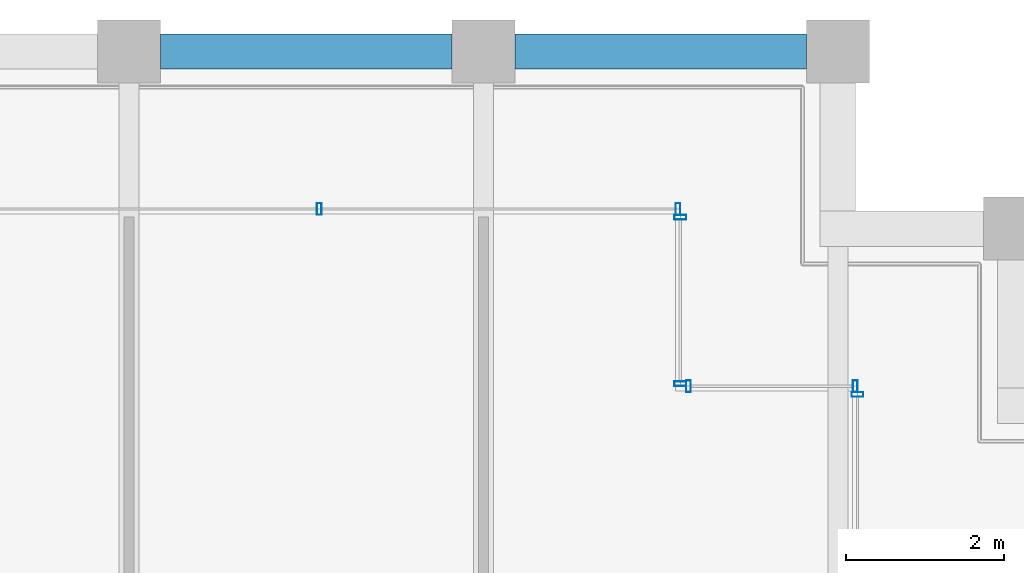
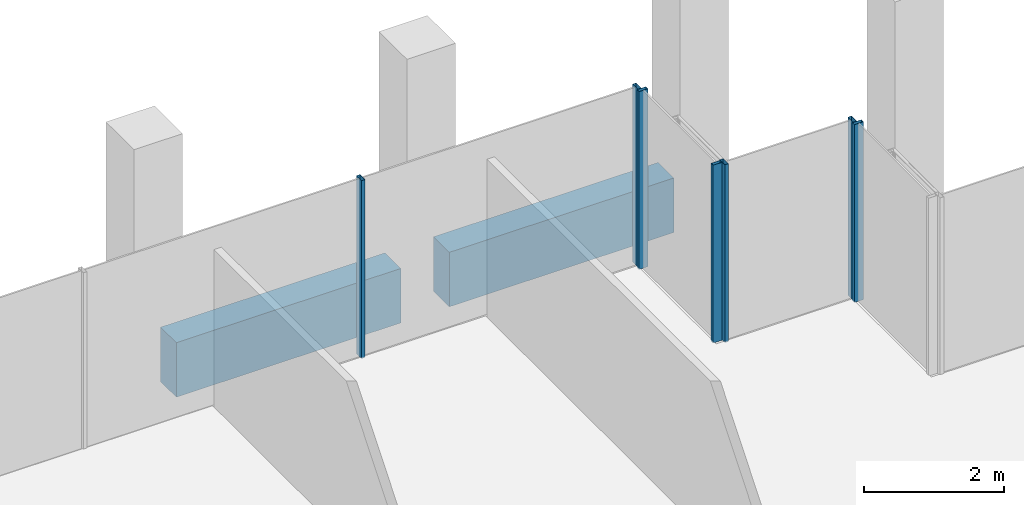
# One storey, part 26 of 30: 7 members, 2 beams, 4 elements without a shape of their own.
"""IFC4 building model written with IfcOpenShell, lengths in metres."""

import ifcopenshell
import ifcopenshell.guid

model = None  # the IFC model being written
_history = None  # IfcOwnerHistory: only IFC2X3 demands one
_inside = {}  # id of a spatial element -> (the spatial element, [elements in it])
_under = {}  # id of a project, library or spatial element -> (it, [spatial elements below it])
_declared = {}  # id of a project -> (the project, [libraries it declares])
_typed = {}  # id of a type object -> (the type object, [elements of that type])
_made_of = {}  # id of a material, layer set ... -> (it, [elements and type objects made of it])


def new_model(schema):
    """Start an empty IFC model of exactly this schema.

    Asked for "IFC4X3", IfcOpenShell would pick the latest addendum, in which some entities
    have other attributes; the version numbers below select the first issue.
    IFC2X3 requires an IfcOwnerHistory on every rooted entity: one is made here for all.
    """
    global model, _history
    if schema == "IFC4X3":
        model = ifcopenshell.file(schema_version=(4, 3, 0, 0))
    else:
        model = ifcopenshell.file(schema=schema)
    _inside.clear()
    _under.clear()
    _declared.clear()
    _typed.clear()
    _made_of.clear()
    _history = None
    if model.schema == "IFC2X3":
        org = make("IfcOrganization", Name="unknown")
        user = make(
            "IfcPersonAndOrganization",
            ThePerson=make("IfcPerson", FamilyName="unknown"),
            TheOrganization=org,
        )
        app = make(
            "IfcApplication",
            ApplicationDeveloper=org,
            Version="unknown",
            ApplicationFullName="unknown",
            ApplicationIdentifier="unknown",
        )
        _history = make(
            "IfcOwnerHistory",
            OwningUser=user,
            OwningApplication=app,
            ChangeAction="ADDED",
            CreationDate=0,
        )
    return model


def make(cls, **values):
    """One entity of the class cls with the attributes given. An attribute that is None is left unset."""
    return model.create_entity(
        cls, **{name: value for name, value in values.items() if value is not None}
    )


def rooted(cls, **values):
    """An entity with a GlobalId (a new one), such as an element, a storey or a relation."""
    return make(cls, GlobalId=ifcopenshell.guid.new(), OwnerHistory=_history, **values)


def si_unit(unit_type, name, prefix=None):
    """IfcSIUnit, for example si_unit("LENGTHUNIT", "METRE", prefix="MILLI")."""
    return make("IfcSIUnit", UnitType=unit_type, Prefix=prefix, Name=name)


def assignment(units):
    """IfcUnitAssignment: the units of a project."""
    return None if units is None else make("IfcUnitAssignment", Units=units)


def point(xyz):
    """IfcCartesianPoint."""
    return None if xyz is None else make("IfcCartesianPoint", Coordinates=xyz)


def direction(xyz):
    """IfcDirection."""
    return None if xyz is None else make("IfcDirection", DirectionRatios=xyz)


def frame(location, z_axis=None, x_axis=None):
    """IfcAxis2Placement3D, a coordinate frame: its origin and axes. An axis left out is left unset."""
    return make(
        "IfcAxis2Placement3D",
        Location=point(location),
        Axis=direction(z_axis),
        RefDirection=direction(x_axis),
    )


def frame_2d(location, x_axis=None):
    """IfcAxis2Placement2D, a coordinate frame in the plane: its origin and x axis."""
    return make(
        "IfcAxis2Placement2D", Location=point(location), RefDirection=direction(x_axis)
    )


def origin():
    """The frame at (0, 0, 0) with its axes left unset."""
    return frame((0.0, 0.0, 0.0))


def origin_2d():
    """The frame at (0, 0) in the plane with its x axis left unset."""
    return frame_2d((0.0, 0.0))


def place(relative_to, where):
    """IfcLocalPlacement: puts the frame where relative to a parent placement (None: the world)."""
    return make(
        "IfcLocalPlacement", PlacementRelTo=relative_to, RelativePlacement=where
    )


def context(
    kind, dimensions, precision=None, world=None, true_north=None, identifier=None
):
    """IfcGeometricRepresentationContext, for example the 3D "Model" context."""
    return make(
        "IfcGeometricRepresentationContext",
        ContextIdentifier=identifier,
        ContextType=kind,
        CoordinateSpaceDimension=dimensions,
        Precision=precision,
        WorldCoordinateSystem=world,
        TrueNorth=true_north,
    )


def subcontext(parent, identifier, kind, view, scale=None):
    """IfcGeometricRepresentationSubContext, for example "Body" below "Model"."""
    return make(
        "IfcGeometricRepresentationSubContext",
        ContextIdentifier=identifier,
        ContextType=kind,
        ParentContext=parent,
        TargetScale=scale,
        TargetView=view,
    )


def project(units=None, contexts=None):
    """IfcProject with its units and contexts."""
    return rooted(
        "IfcProject",
        Name="project",
        RepresentationContexts=contexts,
        UnitsInContext=assignment(units),
    )


def spatial(cls, under=None, at=None, **own):
    """A site, building, storey or space (cls), placed at a placement, below another one or the project."""
    s = rooted(cls, ObjectPlacement=at, **own)
    if under is not None:
        _under.setdefault(under.id(), (under, []))[1].append(s)
    return s


def profile(cls, at=None, kind="AREA", **sizes):
    """A parametric profile (cls). Its sizes go by their IFC names, for example OverallWidth=200.0."""
    return make(cls, ProfileType=kind, Position=at, **sizes)


def rectangle(**sizes):
    """IfcRectangleProfileDef."""
    return profile("IfcRectangleProfileDef", **sizes)


def hollow_rectangle(**sizes):
    """IfcRectangleHollowProfileDef."""
    return profile("IfcRectangleHollowProfileDef", **sizes)


def extrude(swept, where, along, depth):
    """IfcExtrudedAreaSolid: the profile swept, set in the frame where, extruded along a direction by depth."""
    return make(
        "IfcExtrudedAreaSolid",
        SweptArea=swept,
        Position=where,
        ExtrudedDirection=direction(along),
        Depth=depth,
    )


def shape(context_of_items, identifier, shape_type, items):
    """IfcShapeRepresentation: the items that make up one representation, for example the "Body"."""
    return make(
        "IfcShapeRepresentation",
        ContextOfItems=context_of_items,
        RepresentationIdentifier=identifier,
        RepresentationType=shape_type,
        Items=items,
    )


def material(Name=None, Category=None):
    """IfcMaterial."""
    return make("IfcMaterial", Name=Name, Category=Category)


def material_profile(
    of_material, cross_section, Name=None, Category=None, Priority=None
):
    """IfcMaterialProfile: a cross section and its material."""
    return make(
        "IfcMaterialProfile",
        Name=Name,
        Material=of_material,
        Profile=cross_section,
        Priority=Priority,
        Category=Category,
    )


def profile_set(profiles, Name=None, composite=None):
    """IfcMaterialProfileSet."""
    return make(
        "IfcMaterialProfileSet",
        Name=Name,
        MaterialProfiles=profiles,
        CompositeProfile=composite,
    )


def made_of(thing, what):
    """Note that an element or type object is made of a material, layer set ...; save() writes the relation."""
    if what is not None:
        _made_of.setdefault(what.id(), (what, []))[1].append(thing)
    return thing


def type_object(cls, material=None, **own):
    """A type object (cls), such as IfcWallType, which elements share."""
    return made_of(rooted(cls, **own), material)


def element(
    cls,
    number,
    at=None,
    inside=None,
    cuts=None,
    type_object=None,
    material=None,
    context=None,
    identifier="Body",
    shape_type=None,
    held_by="IfcProductDefinitionShape",
    body=None,
    shapes=None,
    **own,
):
    """One element of the class cls, such as IfcWall. Its Tag is "e" and its number.

    at: its placement. inside: the storey or other place that contains it. cuts: it is an
    opening in that element (IfcRelVoidsElement). A single representation is given by context,
    identifier, shape_type and body (its items); several are given by shapes. held_by: the class
    of the entity that holds the representations. save() writes the other relations.
    """
    e = rooted(cls, Tag="e%d" % number, ObjectPlacement=at, **own)
    if body is not None:
        shapes = [shape(context, identifier, shape_type, body)]
    if shapes is not None:
        e.Representation = make(held_by, Representations=shapes)
    if inside is not None:
        _inside.setdefault(inside.id(), (inside, []))[1].append(e)
    if cuts is not None:
        rooted(
            "IfcRelVoidsElement", RelatingBuildingElement=cuts, RelatedOpeningElement=e
        )
    if type_object is not None:
        _typed.setdefault(type_object.id(), (type_object, []))[1].append(e)
    return made_of(e, material)


def aggregate(whole, parts):
    """IfcRelAggregates: a whole, such as a stair, and the parts it consists of."""
    return rooted("IfcRelAggregates", RelatingObject=whole, RelatedObjects=parts)


def save(model, path):
    """Write the relations noted so far, then the file.

    IfcRelAggregates (storeys below a building ...), IfcRelContainedInSpatialStructure (elements
    in a storey), IfcRelDefinesByType, IfcRelAssociatesMaterial and IfcRelDeclares: one each for
    every whole, place, type object, material and project.
    """
    for whole, parts in _under.values():
        aggregate(whole, parts)
    for where, things in _inside.values():
        rooted(
            "IfcRelContainedInSpatialStructure",
            RelatedElements=things,
            RelatingStructure=where,
        )
    for kind, things in _typed.values():
        rooted("IfcRelDefinesByType", RelatedObjects=things, RelatingType=kind)
    for what, things in _made_of.values():
        rooted("IfcRelAssociatesMaterial", RelatedObjects=things, RelatingMaterial=what)
    for by, libraries in _declared.values():
        rooted("IfcRelDeclares", RelatingContext=by, RelatedDefinitions=libraries)
    model.write(path)


model = new_model("IFC4")

# Units and contexts
model_context = context("Model", 3, precision=1e-05, world=origin(), true_north=direction((0.0, 1.0)))
body_context = subcontext(model_context, "Body", "Model", "MODEL_VIEW")
ifc_project = project(units=[si_unit("LENGTHUNIT", "METRE"), si_unit("AREAUNIT", "SQUARE_METRE"), si_unit("VOLUMEUNIT", "CUBIC_METRE"), si_unit("PLANEANGLEUNIT", "RADIAN"), si_unit("MASSUNIT", "GRAM", prefix="KILO")], contexts=[model_context])

# Site, building, storey
site_placement = place(None, origin())
site = spatial("IfcSite", under=ifc_project, at=site_placement, CompositionType="ELEMENT")
building_placement = place(site_placement, origin())
building = spatial("IfcBuilding", under=site, at=building_placement, Name="Altepetl Exchange Towers", CompositionType="ELEMENT")
storey_placement = place(building_placement, frame((0.0, 0.0, 238.800048828125)))
storey = spatial("IfcBuildingStorey", under=building, at=storey_placement, Name="L61", CompositionType="ELEMENT", Elevation=238.800048828125)

# Curtain wall, member
ifc_material_1 = material(Name="Aluminium 6063-T6 glazing", Category="aluminium")
curtain_wall_type = type_object("IfcCurtainWallType", Name="Loggia glazing system", PredefinedType="NOTDEFINED", material=ifc_material_1)
curtain_wall_1_placement = place(storey_placement, origin())
curtain_wall_1 = element("IfcCurtainWall", 1, at=curtain_wall_1_placement, inside=storey, type_object=curtain_wall_type, Name="CW1 run", PredefinedType="NOTDEFINED")
ifc_material_2 = material(Name="Aluminium 6063-T6", Category="aluminium")
ifc_material_profile_1 = material_profile(ifc_material_2, hollow_rectangle(XDim=0.06005859375, YDim=0.14990234375, WallThickness=0.0029296875, at=origin_2d()), Name="Mullion 60x150 aluminium")
ifc_profile_set_1 = profile_set([ifc_material_profile_1], Name="Aluminium 6063-T6")
member_type = type_object("IfcMemberType", Name="Mullion 60x150 aluminium", PredefinedType="MULLION", material=ifc_profile_set_1)
member_1_placement = place(storey_placement, frame((67.75, 67.64501953125, 0.0), z_axis=(0.0, 0.0, 1.0), x_axis=(0.0, 1.0, 0.0)))
member_1 = element("IfcMember", 2, at=member_1_placement, type_object=member_type, Name="MU1 mullion", PredefinedType="MULLION", context=body_context, shape_type="SweptSolid", body=[
    extrude(hollow_rectangle(XDim=0.06005859375, YDim=0.14990234375, WallThickness=0.0029296875, at=origin_2d()), origin(), (0.0, 0.0, 1.0), 3.099853515625),
])
aggregate(curtain_wall_1, [member_1])

# Curtain wall, members
curtain_wall_2_placement = place(storey_placement, origin())
curtain_wall_2 = element("IfcCurtainWall", 3, at=curtain_wall_2_placement, inside=storey, type_object=curtain_wall_type, Name="CW1 run", PredefinedType="NOTDEFINED")
member_2_placement = place(storey_placement, frame((67.719970703125, 67.75, 0.0), z_axis=(0.0, 0.0, 1.0), x_axis=(-1.0, 0.0, 0.0)))
member_2 = element("IfcMember", 4, at=member_2_placement, type_object=member_type, Name="MU1 mullion", PredefinedType="MULLION", context=body_context, shape_type="SweptSolid", body=[
    extrude(hollow_rectangle(XDim=0.06005859375, YDim=0.14990234375, WallThickness=0.0029296875, at=origin_2d()), origin(), (0.0, 0.0, 1.0), 3.099853515625),
])
member_3_placement = place(storey_placement, frame((65.60498046875, 67.75, 0.0), z_axis=(0.0, 0.0, 1.0), x_axis=(-1.0, 0.0, 0.0)))
member_3 = element("IfcMember", 5, at=member_3_placement, type_object=member_type, Name="MU1 mullion", PredefinedType="MULLION", context=body_context, shape_type="SweptSolid", body=[
    extrude(hollow_rectangle(XDim=0.06005859375, YDim=0.14990234375, WallThickness=0.0029296875, at=origin_2d()), origin(), (0.0, 0.0, 1.0), 3.099853515625),
])
aggregate(curtain_wall_2, [member_2, member_3])

curtain_wall_3_placement = place(storey_placement, origin())
curtain_wall_3 = element("IfcCurtainWall", 6, at=curtain_wall_3_placement, inside=storey, type_object=curtain_wall_type, Name="CW1 run", PredefinedType="NOTDEFINED")
member_4_placement = place(storey_placement, frame((65.5, 67.780029296875, 0.0), z_axis=(0.0, 0.0, 1.0), x_axis=(0.0, 1.0, 0.0)))
member_4 = element("IfcMember", 7, at=member_4_placement, type_object=member_type, Name="MU1 mullion", PredefinedType="MULLION", context=body_context, shape_type="SweptSolid", body=[
    extrude(hollow_rectangle(XDim=0.06005859375, YDim=0.14990234375, WallThickness=0.0029296875, at=origin_2d()), origin(), (0.0, 0.0, 1.0), 3.099853515625),
])
member_5_placement = place(storey_placement, frame((65.5, 69.89501953125, 0.0), z_axis=(0.0, 0.0, 1.0), x_axis=(0.0, 1.0, 0.0)))
member_5 = element("IfcMember", 8, at=member_5_placement, type_object=member_type, Name="MU1 mullion", PredefinedType="MULLION", context=body_context, shape_type="SweptSolid", body=[
    extrude(hollow_rectangle(XDim=0.06005859375, YDim=0.14990234375, WallThickness=0.0029296875, at=origin_2d()), origin(), (0.0, 0.0, 1.0), 3.099853515625),
])
aggregate(curtain_wall_3, [member_4, member_5])

curtain_wall_4_placement = place(storey_placement, origin())
curtain_wall_4 = element("IfcCurtainWall", 9, at=curtain_wall_4_placement, inside=storey, type_object=curtain_wall_type, Name="CW1 run", PredefinedType="NOTDEFINED")
member_6_placement = place(storey_placement, frame((65.469970703125, 70.0, 0.0), z_axis=(0.0, 0.0, 1.0), x_axis=(-1.0, 0.0, 0.0)))
member_6 = element("IfcMember", 10, at=member_6_placement, type_object=member_type, Name="MU1 mullion", PredefinedType="MULLION", context=body_context, shape_type="SweptSolid", body=[
    extrude(hollow_rectangle(XDim=0.06005859375, YDim=0.14990234375, WallThickness=0.0029296875, at=origin_2d()), origin(), (0.0, 0.0, 1.0), 3.099853515625),
])
member_7_placement = place(storey_placement, frame((60.9150390625, 70.0, 0.0), z_axis=(0.0, 0.0, 1.0), x_axis=(-1.0, 0.0, 0.0)))
member_7 = element("IfcMember", 11, at=member_7_placement, type_object=member_type, Name="MU1 mullion", PredefinedType="MULLION", context=body_context, shape_type="SweptSolid", body=[
    extrude(hollow_rectangle(XDim=0.06005859375, YDim=0.14990234375, WallThickness=0.0029296875, at=origin_2d()), origin(), (0.0, 0.0, 1.0), 3.099853515625),
])
aggregate(curtain_wall_4, [member_6, member_7])

# Beams
ifc_material_3 = material(Name="Concrete C50/60 precast with cantera rosa facing", Category="concrete")
ifc_material_profile_2 = material_profile(ifc_material_3, rectangle(XDim=0.449951171875, YDim=0.949951171875, at=origin_2d()), Name="450 x 950")
ifc_profile_set_2 = profile_set([ifc_material_profile_2], Name="Concrete C50/60 precast with cantera rosa facing")
beam_type = type_object("IfcBeamType", Name="Spandrel beam 450x950 cantera rosa", PredefinedType="SPANDREL", material=ifc_profile_set_2)
for number, where, z_axis, x_axis, name in (
    (12, (67.10009765625, 72.0, -0.625), (-1.0, 0.0, 0.0), (0.0, -1.0, 0.0), "sp:A:L61:024"),
    (13, (62.60009765625, 72.0, -0.625), (-1.0, 0.0, 0.0), (0.0, -1.0, 0.0), "sp:A:L61:025"),
):
    element("IfcBeam", number, at=place(storey_placement, frame(where, z_axis=z_axis, x_axis=x_axis)), inside=storey, type_object=beam_type, Name=name, PredefinedType="SPANDREL", context=body_context, shape_type="SweptSolid", body=[
        extrude(rectangle(XDim=0.449951171875, YDim=0.949951171875, at=origin_2d()), origin(), (0.0, 0.0, 1.0), 3.7001953125),
    ])

save(model, "model.ifc")
